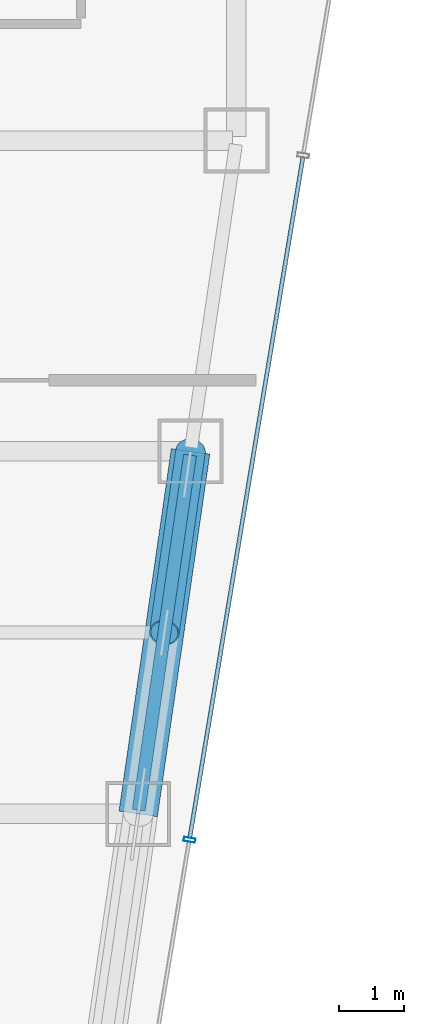
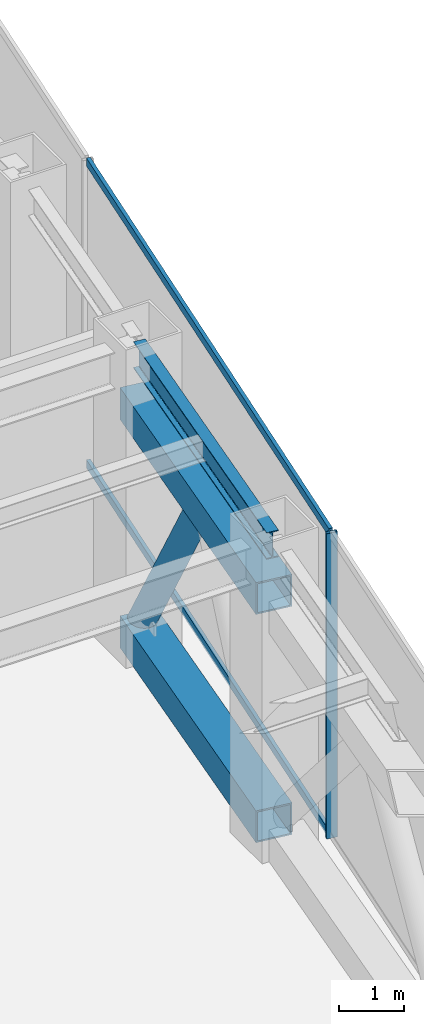
# One storey, part 15 of 30: 6 members, 1 beam, 1 element without a shape of its own.
"""IFC4 building model written with IfcOpenShell, lengths in metres."""

import ifcopenshell
import ifcopenshell.guid

model = None  # the IFC model being written
_history = None  # IfcOwnerHistory: only IFC2X3 demands one
_inside = {}  # id of a spatial element -> (the spatial element, [elements in it])
_under = {}  # id of a project, library or spatial element -> (it, [spatial elements below it])
_declared = {}  # id of a project -> (the project, [libraries it declares])
_typed = {}  # id of a type object -> (the type object, [elements of that type])
_made_of = {}  # id of a material, layer set ... -> (it, [elements and type objects made of it])


def new_model(schema):
    """Start an empty IFC model of exactly this schema.

    Asked for "IFC4X3", IfcOpenShell would pick the latest addendum, in which some entities
    have other attributes; the version numbers below select the first issue.
    IFC2X3 requires an IfcOwnerHistory on every rooted entity: one is made here for all.
    """
    global model, _history
    if schema == "IFC4X3":
        model = ifcopenshell.file(schema_version=(4, 3, 0, 0))
    else:
        model = ifcopenshell.file(schema=schema)
    _inside.clear()
    _under.clear()
    _declared.clear()
    _typed.clear()
    _made_of.clear()
    _history = None
    if model.schema == "IFC2X3":
        org = make("IfcOrganization", Name="unknown")
        user = make(
            "IfcPersonAndOrganization",
            ThePerson=make("IfcPerson", FamilyName="unknown"),
            TheOrganization=org,
        )
        app = make(
            "IfcApplication",
            ApplicationDeveloper=org,
            Version="unknown",
            ApplicationFullName="unknown",
            ApplicationIdentifier="unknown",
        )
        _history = make(
            "IfcOwnerHistory",
            OwningUser=user,
            OwningApplication=app,
            ChangeAction="ADDED",
            CreationDate=0,
        )
    return model


def make(cls, **values):
    """One entity of the class cls with the attributes given. An attribute that is None is left unset."""
    return model.create_entity(
        cls, **{name: value for name, value in values.items() if value is not None}
    )


def rooted(cls, **values):
    """An entity with a GlobalId (a new one), such as an element, a storey or a relation."""
    return make(cls, GlobalId=ifcopenshell.guid.new(), OwnerHistory=_history, **values)


def si_unit(unit_type, name, prefix=None):
    """IfcSIUnit, for example si_unit("LENGTHUNIT", "METRE", prefix="MILLI")."""
    return make("IfcSIUnit", UnitType=unit_type, Prefix=prefix, Name=name)


def assignment(units):
    """IfcUnitAssignment: the units of a project."""
    return None if units is None else make("IfcUnitAssignment", Units=units)


def point(xyz):
    """IfcCartesianPoint."""
    return None if xyz is None else make("IfcCartesianPoint", Coordinates=xyz)


def direction(xyz):
    """IfcDirection."""
    return None if xyz is None else make("IfcDirection", DirectionRatios=xyz)


def frame(location, z_axis=None, x_axis=None):
    """IfcAxis2Placement3D, a coordinate frame: its origin and axes. An axis left out is left unset."""
    return make(
        "IfcAxis2Placement3D",
        Location=point(location),
        Axis=direction(z_axis),
        RefDirection=direction(x_axis),
    )


def frame_2d(location, x_axis=None):
    """IfcAxis2Placement2D, a coordinate frame in the plane: its origin and x axis."""
    return make(
        "IfcAxis2Placement2D", Location=point(location), RefDirection=direction(x_axis)
    )


def origin():
    """The frame at (0, 0, 0) with its axes left unset."""
    return frame((0.0, 0.0, 0.0))


def origin_2d():
    """The frame at (0, 0) in the plane with its x axis left unset."""
    return frame_2d((0.0, 0.0))


def place(relative_to, where):
    """IfcLocalPlacement: puts the frame where relative to a parent placement (None: the world)."""
    return make(
        "IfcLocalPlacement", PlacementRelTo=relative_to, RelativePlacement=where
    )


def context(
    kind, dimensions, precision=None, world=None, true_north=None, identifier=None
):
    """IfcGeometricRepresentationContext, for example the 3D "Model" context."""
    return make(
        "IfcGeometricRepresentationContext",
        ContextIdentifier=identifier,
        ContextType=kind,
        CoordinateSpaceDimension=dimensions,
        Precision=precision,
        WorldCoordinateSystem=world,
        TrueNorth=true_north,
    )


def subcontext(parent, identifier, kind, view, scale=None):
    """IfcGeometricRepresentationSubContext, for example "Body" below "Model"."""
    return make(
        "IfcGeometricRepresentationSubContext",
        ContextIdentifier=identifier,
        ContextType=kind,
        ParentContext=parent,
        TargetScale=scale,
        TargetView=view,
    )


def project(units=None, contexts=None):
    """IfcProject with its units and contexts."""
    return rooted(
        "IfcProject",
        Name="project",
        RepresentationContexts=contexts,
        UnitsInContext=assignment(units),
    )


def spatial(cls, under=None, at=None, **own):
    """A site, building, storey or space (cls), placed at a placement, below another one or the project."""
    s = rooted(cls, ObjectPlacement=at, **own)
    if under is not None:
        _under.setdefault(under.id(), (under, []))[1].append(s)
    return s


def profile(cls, at=None, kind="AREA", **sizes):
    """A parametric profile (cls). Its sizes go by their IFC names, for example OverallWidth=200.0."""
    return make(cls, ProfileType=kind, Position=at, **sizes)


def hollow_rectangle(**sizes):
    """IfcRectangleHollowProfileDef."""
    return profile("IfcRectangleHollowProfileDef", **sizes)


def hollow_circle(**sizes):
    """IfcCircleHollowProfileDef."""
    return profile("IfcCircleHollowProfileDef", **sizes)


def i_section(**sizes):
    """IfcIShapeProfileDef."""
    return profile("IfcIShapeProfileDef", **sizes)


def extrude(swept, where, along, depth):
    """IfcExtrudedAreaSolid: the profile swept, set in the frame where, extruded along a direction by depth."""
    return make(
        "IfcExtrudedAreaSolid",
        SweptArea=swept,
        Position=where,
        ExtrudedDirection=direction(along),
        Depth=depth,
    )


def shape(context_of_items, identifier, shape_type, items):
    """IfcShapeRepresentation: the items that make up one representation, for example the "Body"."""
    return make(
        "IfcShapeRepresentation",
        ContextOfItems=context_of_items,
        RepresentationIdentifier=identifier,
        RepresentationType=shape_type,
        Items=items,
    )


def material(Name=None, Category=None):
    """IfcMaterial."""
    return make("IfcMaterial", Name=Name, Category=Category)


def material_profile(
    of_material, cross_section, Name=None, Category=None, Priority=None
):
    """IfcMaterialProfile: a cross section and its material."""
    return make(
        "IfcMaterialProfile",
        Name=Name,
        Material=of_material,
        Profile=cross_section,
        Priority=Priority,
        Category=Category,
    )


def profile_set(profiles, Name=None, composite=None):
    """IfcMaterialProfileSet."""
    return make(
        "IfcMaterialProfileSet",
        Name=Name,
        MaterialProfiles=profiles,
        CompositeProfile=composite,
    )


def made_of(thing, what):
    """Note that an element or type object is made of a material, layer set ...; save() writes the relation."""
    if what is not None:
        _made_of.setdefault(what.id(), (what, []))[1].append(thing)
    return thing


def type_object(cls, material=None, **own):
    """A type object (cls), such as IfcWallType, which elements share."""
    return made_of(rooted(cls, **own), material)


def element(
    cls,
    number,
    at=None,
    inside=None,
    cuts=None,
    type_object=None,
    material=None,
    context=None,
    identifier="Body",
    shape_type=None,
    held_by="IfcProductDefinitionShape",
    body=None,
    shapes=None,
    **own,
):
    """One element of the class cls, such as IfcWall. Its Tag is "e" and its number.

    at: its placement. inside: the storey or other place that contains it. cuts: it is an
    opening in that element (IfcRelVoidsElement). A single representation is given by context,
    identifier, shape_type and body (its items); several are given by shapes. held_by: the class
    of the entity that holds the representations. save() writes the other relations.
    """
    e = rooted(cls, Tag="e%d" % number, ObjectPlacement=at, **own)
    if body is not None:
        shapes = [shape(context, identifier, shape_type, body)]
    if shapes is not None:
        e.Representation = make(held_by, Representations=shapes)
    if inside is not None:
        _inside.setdefault(inside.id(), (inside, []))[1].append(e)
    if cuts is not None:
        rooted(
            "IfcRelVoidsElement", RelatingBuildingElement=cuts, RelatedOpeningElement=e
        )
    if type_object is not None:
        _typed.setdefault(type_object.id(), (type_object, []))[1].append(e)
    return made_of(e, material)


def aggregate(whole, parts):
    """IfcRelAggregates: a whole, such as a stair, and the parts it consists of."""
    return rooted("IfcRelAggregates", RelatingObject=whole, RelatedObjects=parts)


def save(model, path):
    """Write the relations noted so far, then the file.

    IfcRelAggregates (storeys below a building ...), IfcRelContainedInSpatialStructure (elements
    in a storey), IfcRelDefinesByType, IfcRelAssociatesMaterial and IfcRelDeclares: one each for
    every whole, place, type object, material and project.
    """
    for whole, parts in _under.values():
        aggregate(whole, parts)
    for where, things in _inside.values():
        rooted(
            "IfcRelContainedInSpatialStructure",
            RelatedElements=things,
            RelatingStructure=where,
        )
    for kind, things in _typed.values():
        rooted("IfcRelDefinesByType", RelatedObjects=things, RelatingType=kind)
    for what, things in _made_of.values():
        rooted("IfcRelAssociatesMaterial", RelatedObjects=things, RelatingMaterial=what)
    for by, libraries in _declared.values():
        rooted("IfcRelDeclares", RelatingContext=by, RelatedDefinitions=libraries)
    model.write(path)


model = new_model("IFC4")

# Units and contexts
model_context = context("Model", 3, precision=1e-05, world=origin(), true_north=direction((0.0, 1.0)))
body_context = subcontext(model_context, "Body", "Model", "MODEL_VIEW")
ifc_project = project(units=[si_unit("LENGTHUNIT", "METRE"), si_unit("AREAUNIT", "SQUARE_METRE"), si_unit("VOLUMEUNIT", "CUBIC_METRE"), si_unit("PLANEANGLEUNIT", "RADIAN"), si_unit("MASSUNIT", "GRAM", prefix="KILO")], contexts=[model_context])

# Site, building, storey
site_placement = place(None, origin())
site = spatial("IfcSite", under=ifc_project, at=site_placement, CompositionType="ELEMENT")
building_placement = place(site_placement, origin())
building = spatial("IfcBuilding", under=site, at=building_placement, Name="Saevonmaru Cultural Tower", CompositionType="ELEMENT")
storey_placement = place(building_placement, frame((0.0, 0.0, 123.60009765625)))
storey = spatial("IfcBuildingStorey", under=building, at=storey_placement, Name="L26", CompositionType="ELEMENT", Elevation=123.60009765625)

# Beam
ifc_material_1 = material(Name="Steel SM355", Category="steel")
ifc_material_profile_1 = material_profile(ifc_material_1, i_section(OverallWidth=0.199951171875, OverallDepth=0.5, WebThickness=0.010009765625, FlangeThickness=0.01611328125, FilletRadius=0.02001953125, at=origin_2d()), Name="H-500x200x10x16")
ifc_profile_set_1 = profile_set([ifc_material_profile_1], Name="Steel SM355")
beam_type = type_object("IfcBeamType", Name="BM-SP-H500", PredefinedType="SPANDREL", material=ifc_profile_set_1)
beam_placement = place(storey_placement, frame((51.691650390625, 32.059326171875, 5.5), z_axis=(0.142964121327, 0.989727871697, 0.0), x_axis=(-0.989727871697, 0.142964121327, 0.0)))
element("IfcBeam", 1, at=beam_placement, inside=storey, type_object=beam_type, Name="L26 East Splayed Spandrel 4", PredefinedType="SPANDREL", context=body_context, shape_type="SweptSolid", body=[
    extrude(i_section(OverallWidth=0.199951171875, OverallDepth=0.5, WebThickness=0.010009765625, FlangeThickness=0.01611328125, FilletRadius=0.02001953125, at=origin_2d()), origin(), (0.0, 0.0, 1.0), 5.5380859375),
])

# Members
ifc_material_2 = material(Name="Steel SM420", Category="steel")
ifc_material_profile_2 = material_profile(ifc_material_2, hollow_circle(Radius=0.228515625, WallThickness=0.02001953125, at=origin_2d()), Name="CHS-457.2x20")
ifc_profile_set_2 = profile_set([ifc_material_profile_2], Name="Steel SM420")
member_type_1 = type_object("IfcMemberType", Name="MB-BBR-CHS457", PredefinedType="BRACE", material=ifc_profile_set_2)
member_1_placement = place(storey_placement, frame((52.491943359375, 37.60009765625, 0.2998046875), z_axis=(-0.078687652634, -0.543983537103, 0.835398207254), x_axis=(0.98969943996, -0.143160813575, 0.0)))
element("IfcMember", 2, at=member_1_placement, inside=storey, type_object=member_type_1, Name="L26 Belt Truss Diagonal BE4-2", PredefinedType="BRACE", context=body_context, shape_type="SweptSolid", body=[
    extrude(hollow_circle(Radius=0.228515625, WallThickness=0.02001953125, at=origin_2d()), origin(), (0.0, 0.0, 1.0), 5.147216796875),
])
ifc_material_profile_3 = material_profile(ifc_material_2, hollow_rectangle(XDim=0.60009765625, YDim=0.60009765625, WallThickness=0.028076171875, at=origin_2d()), Name="BOX-600x600x28")
ifc_profile_set_3 = profile_set([ifc_material_profile_3], Name="Steel SM420")
member_type_2 = type_object("IfcMemberType", Name="MB-BCH-BOX600", PredefinedType="CHORD", material=ifc_profile_set_3)
for number, where, z_axis, x_axis, name in (
    (3, (51.68310546875, 32.0, 0.2998046875), (0.142949491659, 0.989729984811, 0.0), (-0.989729984811, 0.142949491659, 0.0), "L26 Belt Truss Bottom Chord BE4"),
    (4, (51.68310546875, 32.0, 4.599853515625), (0.142949491659, 0.989729984811, 0.0), (-0.989729984811, 0.142949491659, 0.0), "L26 Belt Truss Top Chord BE4"),
):
    element("IfcMember", number, at=place(storey_placement, frame(where, z_axis=z_axis, x_axis=x_axis)), inside=storey, type_object=member_type_2, Name=name, PredefinedType="CHORD", context=body_context, shape_type="SweptSolid", body=[
        extrude(hollow_rectangle(XDim=0.60009765625, YDim=0.60009765625, WallThickness=0.028076171875, at=origin_2d()), origin(), (0.0, 0.0, 1.0), 5.658203125),
    ])

# Curtain wall, members
ifc_material_3 = material(Name="Satin Bronze Anodised Aluminium", Category="aluminium")
curtain_wall_type = type_object("IfcCurtainWallType", Name="CW-TYP-A", PredefinedType="NOTDEFINED", material=ifc_material_3)
curtain_wall_placement = place(storey_placement, origin())
curtain_wall = element("IfcCurtainWall", 5, at=curtain_wall_placement, inside=storey, type_object=curtain_wall_type, Name="L26 Wind-Floor Acoustic Louvre Screen E8", PredefinedType="NOTDEFINED")
ifc_material_profile_4 = material_profile(ifc_material_3, hollow_rectangle(XDim=0.06494140625, YDim=0.179931640625, WallThickness=0.00390625, at=origin_2d()), Name="ALU-MULL-180x65x4")
ifc_profile_set_4 = profile_set([ifc_material_profile_4], Name="Satin Bronze Anodised Aluminium")
member_type_3 = type_object("IfcMemberType", Name="ML-CW-180x65", PredefinedType="MULLION", material=ifc_profile_set_4)
member_2_placement = place(storey_placement, frame((52.4755859375, 31.60009765625, 0.0), z_axis=(0.0, 0.0, 1.0), x_axis=(0.163998702345, 0.986460554523, 0.0)))
member_2 = element("IfcMember", 6, at=member_2_placement, type_object=member_type_3, Name="CW-TW-L26-E8 mullion 3", PredefinedType="MULLION", context=body_context, shape_type="SweptSolid", body=[
    extrude(hollow_rectangle(XDim=0.06494140625, YDim=0.179931640625, WallThickness=0.00390625, at=origin_2d()), origin(), (0.0, 0.0, 1.0), 5.75),
])
ifc_material_profile_5 = material_profile(ifc_material_3, hollow_rectangle(XDim=0.06494140625, YDim=0.14990234375, WallThickness=0.00390625, at=origin_2d()), Name="ALU-TRAN-150x65x4")
ifc_profile_set_5 = profile_set([ifc_material_profile_5], Name="Satin Bronze Anodised Aluminium")
member_type_4 = type_object("IfcMemberType", Name="TR-CW-150x65", PredefinedType="USERDEFINED", material=ifc_profile_set_5)
member_3_placement = place(storey_placement, frame((52.48095703125, 31.632080078125, 0.032470703125), z_axis=(0.163990079074, 0.9864619881, 0.0), x_axis=(-0.9864619881, 0.163990079074, 0.0)))
member_3 = element("IfcMember", 7, at=member_3_placement, type_object=member_type_4, Name="CW-TW-L26-E8 transom 3.1", ObjectType="TRANSOM", PredefinedType="USERDEFINED", context=body_context, shape_type="SweptSolid", body=[
    extrude(hollow_rectangle(XDim=0.06494140625, YDim=0.14990234375, WallThickness=0.00390625, at=origin_2d()), origin(), (0.0, 0.0, 1.0), 10.650634765625),
])
member_4_placement = place(storey_placement, frame((52.48095703125, 31.632080078125, 5.71728515625), z_axis=(0.163990079074, 0.9864619881, 0.0), x_axis=(-0.9864619881, 0.163990079074, 0.0)))
member_4 = element("IfcMember", 8, at=member_4_placement, type_object=member_type_4, Name="CW-TW-L26-E8 transom 3.2", ObjectType="TRANSOM", PredefinedType="USERDEFINED", context=body_context, shape_type="SweptSolid", body=[
    extrude(hollow_rectangle(XDim=0.06494140625, YDim=0.14990234375, WallThickness=0.00390625, at=origin_2d()), origin(), (0.0, 0.0, 1.0), 10.650634765625),
])
aggregate(curtain_wall, [member_2, member_3, member_4])

save(model, "model.ifc")
